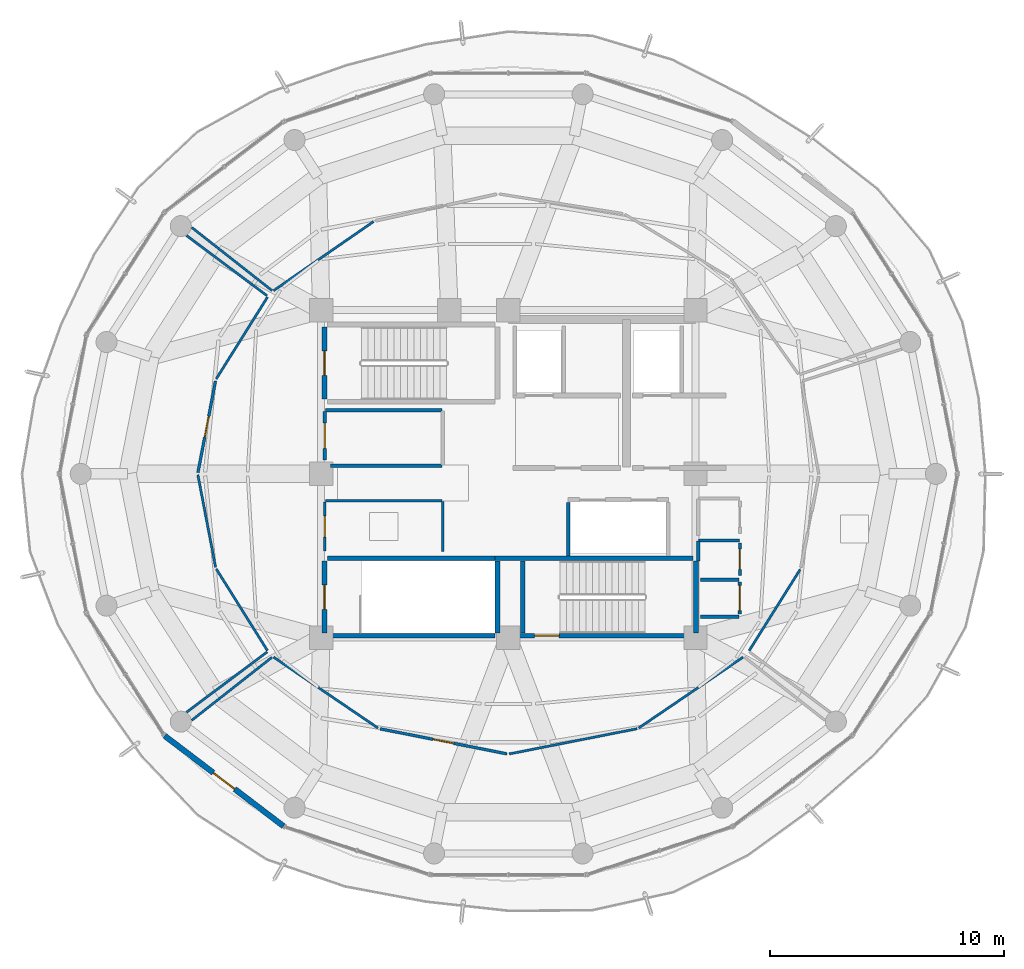
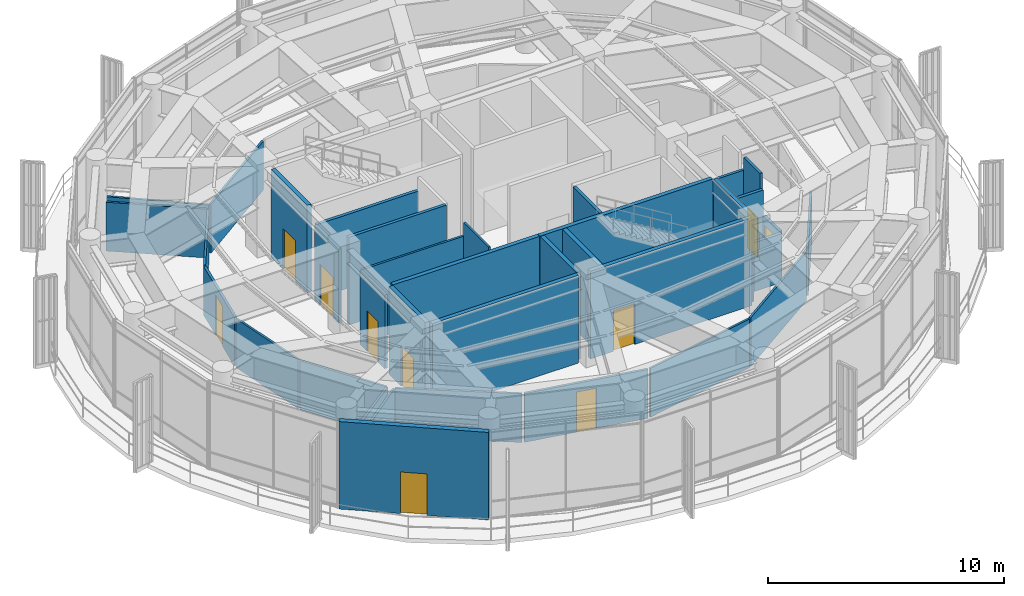
# One storey, part 18 of 23: 37 walls, 10 doors, 10 openings.
"""IFC4 building model written with IfcOpenShell, lengths in metres."""

from ifc_helpers import new_model, si_unit, direction, frame, frame_2d, origin, place, context, subcontext, project, spatial, rectangle, extrude, material, layer, layer_set, type_object, element, fill, save


model = new_model("IFC4")

# Units and contexts
model_context = context("Model", 3, precision=1e-05, world=origin(), true_north=direction((0.0, 1.0)))
body_context = subcontext(model_context, "Body", "Model", "MODEL_VIEW")
ifc_project = project(units=[si_unit("LENGTHUNIT", "METRE"), si_unit("AREAUNIT", "SQUARE_METRE"), si_unit("VOLUMEUNIT", "CUBIC_METRE"), si_unit("PLANEANGLEUNIT", "RADIAN"), si_unit("MASSUNIT", "GRAM", prefix="KILO")], contexts=[model_context])

# Site, building, storey
site_placement = place(None, origin())
site = spatial("IfcSite", under=ifc_project, at=site_placement, CompositionType="ELEMENT")
building_placement = place(site_placement, origin())
building = spatial("IfcBuilding", under=site, at=building_placement, Name="Kelanora Arch Commons", CompositionType="ELEMENT")
storey_placement = place(building_placement, frame((0.0, 0.0, 293.699951171875)))
storey = spatial("IfcBuildingStorey", under=building, at=storey_placement, Name="L75", CompositionType="ELEMENT", Elevation=293.699951171875)

# Wall
ifc_material_1 = material(Name="Autoclaved aerated concrete blockwork with fire plaster", Category="masonry")
ifc_layer_1 = layer(ifc_material_1, 0.14990234375)
ifc_layer_set_1 = layer_set([ifc_layer_1], Name="Autoclaved aerated concrete blockwork with fire plaster")
wall_type_1 = type_object("IfcWallType", Name="W-COMP-150", PredefinedType="PARTITIONING", material=ifc_layer_set_1)
wall_1_placement = place(storey_placement, frame((76.56005859375, 54.47998046875, 0.0), z_axis=(0.0, 0.0, 1.0), x_axis=(0.0, 1.0, 0.0)))
element("IfcWall", 1, at=wall_1_placement, inside=storey, type_object=wall_type_1, Name="South Lift Bank West Wall L75", PredefinedType="PARTITIONING", context=body_context, shape_type="SweptSolid", body=[
    extrude(rectangle(XDim=2.2900390625, YDim=0.14990234375, at=frame_2d((1.14501953125, 0.0))), origin(), (0.0, 0.0, 1.0), 4.530029296875),
])

# Wall, opening, door
wall_2_placement = place(storey_placement, frame((66.14990234375, 58.6015625, 0.0), z_axis=(0.0, 0.0, 1.0), x_axis=(0.0, 1.0, 0.0)))
wall_2 = element("IfcWall", 2, at=wall_2_placement, inside=storey, type_object=wall_type_1, Name="Reclaimed Core Observation Audio-Guide Counter L75 Entry Partition", PredefinedType="PARTITIONING", context=body_context, shape_type="SweptSolid", body=[
    extrude(rectangle(XDim=2.058349609375, YDim=0.14990234375, at=frame_2d((1.029296875, 0.0))), origin(), (0.0, 0.0, 1.0), 3.824951171875),
])
opening_1_placement = place(wall_2_placement, frame((0.489013671875, 0.0, 0.0)))
opening_1 = element("IfcOpeningElement", 3, at=opening_1_placement, cuts=wall_2, Name="Opening D-PLT1", PredefinedType="OPENING", context=body_context, shape_type="SweptSolid", body=[
    extrude(rectangle(XDim=1.080078125, YDim=2.10009765625, at=frame_2d((0.5400390625, 1.050048828125))), frame((0.0, 0.0849609375, 0.0), z_axis=(0.0, -1.0, 0.0), x_axis=(1.0, 0.0, 0.0)), (0.0, 0.0, 1.0), 0.169921875),
])
ifc_material_2 = material(Name="Galvanised steel plant and riser fire door", Category="steel")
door_type_1 = type_object("IfcDoorType", Name="D-PLT-110", OperationType="NOTDEFINED", PredefinedType="DOOR", material=ifc_material_2)
door_1_placement = place(opening_1_placement, origin())
door_1 = element("IfcDoor", 4, at=door_1_placement, inside=storey, type_object=door_type_1, Name="Reclaimed Core Observation Audio-Guide Counter L75 Door", OperationType="SINGLE_SWING_LEFT", OverallHeight=2.10009765625, OverallWidth=1.080078125, PredefinedType="DOOR", context=body_context, shape_type="SweptSolid", body=[
    extrude(rectangle(XDim=1.080078125, YDim=2.10009765625, at=frame_2d((0.5400390625, 1.050048828125))), frame((0.0, 0.02490234375, 0.0), z_axis=(0.0, -1.0, 0.0), x_axis=(1.0, 0.0, 0.0)), (0.0, 0.0, 1.0), 0.050048828125),
])
fill(opening_1, door_1)

wall_3_placement = place(storey_placement, frame((83.89990234375, 52.010009765625, 0.0), z_axis=(0.0, 0.0, 1.0), x_axis=(0.0, 1.0, 0.0)))
wall_3 = element("IfcWall", 5, at=wall_3_placement, inside=storey, type_object=wall_type_1, Name="Observation Coat Store L75 Entry Partition", PredefinedType="PARTITIONING", context=body_context, shape_type="SweptSolid", body=[
    extrude(rectangle(XDim=1.360107421875, YDim=0.14990234375, at=frame_2d((0.68017578125, 0.0))), origin(), (0.0, 0.0, 1.0), 2.525146484375),
])
opening_2_placement = place(wall_3_placement, frame((0.139892578125, 0.0, 0.0)))
opening_2 = element("IfcOpeningElement", 6, at=opening_2_placement, cuts=wall_3, Name="Opening D-PLT1", PredefinedType="OPENING", context=body_context, shape_type="SweptSolid", body=[
    extrude(rectangle(XDim=1.080078125, YDim=2.10009765625, at=frame_2d((0.5400390625, 1.050048828125))), frame((0.0, 0.0849609375, 0.0), z_axis=(0.0, -1.0, 0.0), x_axis=(1.0, 0.0, 0.0)), (0.0, 0.0, 1.0), 0.169921875),
])
door_2_placement = place(opening_2_placement, origin())
door_2 = element("IfcDoor", 7, at=door_2_placement, inside=storey, type_object=door_type_1, Name="Observation Coat Store L75 Door", OperationType="SINGLE_SWING_LEFT", OverallHeight=2.10009765625, OverallWidth=1.080078125, PredefinedType="DOOR", context=body_context, shape_type="SweptSolid", body=[
    extrude(rectangle(XDim=1.080078125, YDim=2.10009765625, at=frame_2d((0.5400390625, 1.050048828125))), frame((0.0, 0.02490234375, 0.0), z_axis=(0.0, -1.0, 0.0), x_axis=(1.0, 0.0, 0.0)), (0.0, 0.0, 1.0), 0.050048828125),
])
fill(opening_2, door_2)

# Walls
wall_4_placement = place(storey_placement, frame((66.391357421875, 58.35009765625, 0.0), z_axis=(0.0, 0.0, 1.0), x_axis=(1.0, 0.0, 0.0)))
element("IfcWall", 8, at=wall_4_placement, inside=storey, type_object=wall_type_1, Name="Reclaimed Core Observation Audio-Guide Counter L75 Enclosure Partition 1", PredefinedType="PARTITIONING", context=body_context, shape_type="SweptSolid", body=[
    extrude(rectangle(XDim=4.7685546875, YDim=0.14990234375, at=frame_2d((2.38427734375, 0.0))), origin(), (0.0, 0.0, 1.0), 4.530029296875),
])
wall_5_placement = place(storey_placement, frame((71.159912109375, 60.719970703125, 0.0), z_axis=(0.0, 0.0, 1.0), x_axis=(-1.0, 0.0, 0.0)))
element("IfcWall", 9, at=wall_5_placement, inside=storey, type_object=wall_type_1, Name="Reclaimed Core Observation Audio-Guide Counter L75 Enclosure Partition 3", PredefinedType="PARTITIONING", context=body_context, shape_type="SweptSolid", body=[
    extrude(rectangle(XDim=4.969970703125, YDim=0.14990234375, at=frame_2d((2.48486328125, 0.0))), origin(), (0.0, 0.0, 1.0), 3.824951171875),
])
wall_6_placement = place(storey_placement, frame((82.219970703125, 51.89990234375, 0.0), z_axis=(0.0, 0.0, 1.0), x_axis=(1.0, 0.0, 0.0)))
element("IfcWall", 10, at=wall_6_placement, inside=storey, type_object=wall_type_1, Name="Observation Coat Store L75 Enclosure Partition 1", PredefinedType="PARTITIONING", context=body_context, shape_type="SweptSolid", body=[
    extrude(rectangle(XDim=1.64013671875, YDim=0.14990234375, at=frame_2d((0.820068359375, 0.0))), origin(), (0.0, 0.0, 1.0), 2.525146484375),
])
wall_7_placement = place(storey_placement, frame((83.860107421875, 53.47998046875, 0.0), z_axis=(0.0, 0.0, 1.0), x_axis=(-1.0, 0.0, 0.0)))
element("IfcWall", 11, at=wall_7_placement, inside=storey, type_object=wall_type_1, Name="Observation Coat Store L75 Enclosure Partition 3", PredefinedType="PARTITIONING", context=body_context, shape_type="SweptSolid", body=[
    extrude(rectangle(XDim=1.64013671875, YDim=0.14990234375, at=frame_2d((0.820068359375, 0.0))), origin(), (0.0, 0.0, 1.0), 3.824951171875),
])

# Wall, opening, door
ifc_material_3 = material(Name="Precast concrete C40/50 upper-zone terracotta rainscreen", Category="masonry")
ifc_layer_2 = layer(ifc_material_3, 0.239990234375)
ifc_layer_set_2 = layer_set([ifc_layer_2], Name="Precast concrete C40/50 upper-zone terracotta rainscreen")
wall_type_2 = type_object("IfcWallType", Name="W-EXT-TC2", PredefinedType="SOLIDWALL", material=ifc_layer_set_2)
wall_8_placement = place(storey_placement, frame((59.3037109375, 46.806396484375, 0.0), z_axis=(0.0, 0.0, 1.0), x_axis=(0.796010444211, -0.605282886514, 0.0)))
wall_8 = element("IfcWall", 12, at=wall_8_placement, inside=storey, type_object=wall_type_2, Name="Terracotta Exterior Wall L75-B11", PredefinedType="SOLIDWALL", context=body_context, shape_type="SweptSolid", body=[
    extrude(rectangle(XDim=6.387451171875, YDim=0.239990234375, at=frame_2d((3.19384765625, 0.0))), origin(), (0.0, 0.0, 1.0), 4.525146484375),
])
opening_3_placement = place(wall_8_placement, frame((2.618896484375, 0.0, 0.0)))
opening_3 = element("IfcOpeningElement", 13, at=opening_3_placement, cuts=wall_8, Name="Opening DT-01", PredefinedType="OPENING", context=body_context, shape_type="SweptSolid", body=[
    extrude(rectangle(XDim=1.14990234375, YDim=2.14990234375, at=frame_2d((0.574951171875, 1.074951171875))), frame((0.0, 0.1298828125, 0.0), z_axis=(0.0, -1.0, 0.0), x_axis=(1.0, 0.0, 0.0)), (0.0, 0.0, 1.0), 0.260009765625),
])
ifc_material_4 = material(Name="Weather-sealed aluminium terrace door", Category="aluminium")
door_type_2 = type_object("IfcDoorType", Name="D-TERR-12", OperationType="NOTDEFINED", PredefinedType="DOOR", material=ifc_material_4)
door_3_placement = place(opening_3_placement, frame((1.14990234375, 0.0, 0.0), z_axis=(0.0, 0.0, 1.0), x_axis=(-1.0, 0.0, 0.0)))
door_3 = element("IfcDoor", 14, at=door_3_placement, inside=storey, type_object=door_type_2, Name="Sky-Terrace Access Door L75-B11", OperationType="SINGLE_SWING_RIGHT", OverallHeight=2.14990234375, OverallWidth=1.14990234375, PredefinedType="DOOR", context=body_context, shape_type="SweptSolid", body=[
    extrude(rectangle(XDim=1.14990234375, YDim=2.14990234375, at=frame_2d((0.574951171875, 1.074951171875))), frame((0.0, 0.02490234375, 0.0), z_axis=(0.0, -1.0, 0.0), x_axis=(1.0, 0.0, 0.0)), (0.0, 0.0, 1.0), 0.050048828125),
])
fill(opening_3, door_3)

# Walls
ifc_material_5 = material(Name="Lightweight fire-rated acoustic stud partition")
ifc_layer_3 = layer(ifc_material_5, 0.10009765625)
ifc_layer_set_3 = layer_set([ifc_layer_3], Name="Lightweight fire-rated acoustic stud partition")
wall_type_3 = type_object("IfcWallType", Name="W-PART-100", PredefinedType="PARTITIONING", material=ifc_layer_set_3)
wall_9_placement = place(storey_placement, frame((71.199951171875, 54.68994140625, 0.0), z_axis=(0.0, 0.0, 1.0), x_axis=(0.0, 1.0, 0.0)))
element("IfcWall", 15, at=wall_9_placement, inside=storey, type_object=wall_type_3, Name="Reclaimed Core Sky Bar Pantry L75 Enclosure Partition 2", PredefinedType="PARTITIONING", context=body_context, shape_type="SweptSolid", body=[
    extrude(rectangle(XDim=2.1201171875, YDim=0.10009765625, at=frame_2d((1.06005859375, 0.0))), origin(), (0.0, 0.0, 1.0), 4.530029296875),
])
wall_10_placement = place(storey_placement, frame((71.159912109375, 56.85009765625, 0.0), z_axis=(0.0, 0.0, 1.0), x_axis=(-1.0, 0.0, 0.0)))
element("IfcWall", 16, at=wall_10_placement, inside=storey, type_object=wall_type_3, Name="Reclaimed Core Sky Bar Pantry L75 Enclosure Partition 3", PredefinedType="PARTITIONING", context=body_context, shape_type="SweptSolid", body=[
    extrude(rectangle(XDim=4.969970703125, YDim=0.10009765625, at=frame_2d((2.48486328125, 0.0))), origin(), (0.0, 0.0, 1.0), 3.824951171875),
])
wall_11_placement = place(storey_placement, frame((68.233154296875, 68.783203125, 0.0), z_axis=(0.0, 0.0, 1.0), x_axis=(-0.822777954932, -0.568362944673, 0.0)))
element("IfcWall", 17, at=wall_11_placement, inside=storey, type_object=wall_type_3, Name="Colombo Harbour North Panorama Lounge Enclosure Partition 5", PredefinedType="PARTITIONING", context=body_context, shape_type="SweptSolid", body=[
    extrude(rectangle(XDim=5.187744140625, YDim=0.10009765625, at=frame_2d((2.59375, 0.0))), origin(), (0.0, 0.0, 1.0), 2.525146484375),
])
wall_12_placement = place(storey_placement, frame((63.900390625, 65.836669921875, 0.0), z_axis=(0.0, 0.0, 1.0), x_axis=(-0.786300871832, 0.617843782, 0.0)))
element("IfcWall", 18, at=wall_12_placement, inside=storey, type_object=wall_type_3, Name="Colombo Harbour North Panorama Lounge Enclosure Partition 6", PredefinedType="PARTITIONING", context=body_context, shape_type="SweptSolid", body=[
    extrude(rectangle(XDim=4.365234375, YDim=0.10009765625, at=frame_2d((2.1826171875, 0.0))), origin(), (0.0, 0.0, 1.0), 2.525146484375),
])
wall_13_placement = place(storey_placement, frame((63.701904296875, 65.55419921875, 0.0), z_axis=(0.0, 0.0, 1.0), x_axis=(-0.53099994336, -0.847371854708, 0.0)))
element("IfcWall", 19, at=wall_13_placement, inside=storey, type_object=wall_type_3, Name="Indian Ocean Sunset Viewing Gallery Enclosure Partition 1", PredefinedType="PARTITIONING", context=body_context, shape_type="SweptSolid", body=[
    extrude(rectangle(XDim=4.1201171875, YDim=0.10009765625, at=frame_2d((2.06005859375, 0.0))), origin(), (0.0, 0.0, 1.0), 2.525146484375),
])
wall_14_placement = place(storey_placement, frame((60.7275390625, 57.960693359375, 0.0), z_axis=(0.0, 0.0, 1.0), x_axis=(0.188453433241, -0.982082126657, 0.0)))
element("IfcWall", 20, at=wall_14_placement, inside=storey, type_object=wall_type_3, Name="Indian Ocean Sunset Viewing Gallery Enclosure Partition 3", PredefinedType="PARTITIONING", context=body_context, shape_type="SweptSolid", body=[
    extrude(rectangle(XDim=4.0224609375, YDim=0.10009765625, at=frame_2d((2.01123046875, 0.0))), origin(), (0.0, 0.0, 1.0), 2.525146484375),
])
wall_15_placement = place(storey_placement, frame((61.51416015625, 53.93701171875, 0.0), z_axis=(0.0, 0.0, 1.0), x_axis=(0.53099994336, -0.847371854708, 0.0)))
element("IfcWall", 21, at=wall_15_placement, inside=storey, type_object=wall_type_3, Name="Indian Ocean Sunset Viewing Gallery Enclosure Partition 4", PredefinedType="PARTITIONING", context=body_context, shape_type="SweptSolid", body=[
    extrude(rectangle(XDim=4.1201171875, YDim=0.10009765625, at=frame_2d((2.06005859375, 0.0))), origin(), (0.0, 0.0, 1.0), 2.525146484375),
])
for number, where, z_axis, x_axis, name in (
    (22, (63.69091796875, 50.387939453125, 0.0), (0.0, 0.0, 1.0), (-0.800863986332, -0.598846286952, 0.0), "Indian Ocean Sunset Viewing Gallery Enclosure Partition 5"),
    (23, (60.245361328125, 68.1884765625, 0.0), (0.0, 0.0, 1.0), (0.800863986332, -0.598846286952, 0.0), "Indian Ocean Sunset Viewing Gallery Enclosure Partition 10"),
):
    element("IfcWall", number, at=place(storey_placement, frame(where, z_axis=z_axis, x_axis=x_axis)), inside=storey, type_object=wall_type_3, Name=name, PredefinedType="PARTITIONING", context=body_context, shape_type="SweptSolid", body=[
        extrude(rectangle(XDim=4.30224609375, YDim=0.10009765625, at=frame_2d((2.151123046875, 0.0))), origin(), (0.0, 0.0, 1.0), 2.525146484375),
    ])
wall_16_placement = place(storey_placement, frame((63.965087890625, 50.16552734375, 0.0), z_axis=(0.0, 0.0, 1.0), x_axis=(0.82725042388, -0.561833370485, 0.0)))
element("IfcWall", 24, at=wall_16_placement, inside=storey, type_object=wall_type_3, Name="Southern Coast Seminar and Exhibition Room Enclosure Partition 1", PredefinedType="PARTITIONING", context=body_context, shape_type="SweptSolid", body=[
    extrude(rectangle(XDim=5.394775390625, YDim=0.10009765625, at=frame_2d((2.697265625, 0.0))), origin(), (0.0, 0.0, 1.0), 2.525146484375),
])
wall_17_placement = place(storey_placement, frame((74.039306640625, 46.027587890625, 0.0), z_axis=(0.0, 0.0, 1.0), x_axis=(0.981110194686, 0.193449698586, 0.0)))
element("IfcWall", 25, at=wall_17_placement, inside=storey, type_object=wall_type_3, Name="Southern Coast Seminar and Exhibition Room Enclosure Partition 3", PredefinedType="PARTITIONING", context=body_context, shape_type="SweptSolid", body=[
    extrude(rectangle(XDim=5.565673828125, YDim=0.10009765625, at=frame_2d((2.78271484375, 0.0))), origin(), (0.0, 0.0, 1.0), 2.525146484375),
])
wall_18_placement = place(storey_placement, frame((79.572021484375, 47.134521484375, 0.0), z_axis=(0.0, 0.0, 1.0), x_axis=(0.82725042388, 0.561833370485, 0.0)))
element("IfcWall", 26, at=wall_18_placement, inside=storey, type_object=wall_type_3, Name="Southern Coast Seminar and Exhibition Room Enclosure Partition 4", PredefinedType="PARTITIONING", context=body_context, shape_type="SweptSolid", body=[
    extrude(rectangle(XDim=5.394775390625, YDim=0.10009765625, at=frame_2d((2.697265625, 0.0))), origin(), (0.0, 0.0, 1.0), 2.525146484375),
])
wall_19_placement = place(storey_placement, frame((60.468017578125, 47.46630859375, 0.0), z_axis=(0.0, 0.0, 1.0), x_axis=(0.786300871832, 0.617843782, 0.0)))
element("IfcWall", 27, at=wall_19_placement, inside=storey, type_object=wall_type_3, Name="Southern Coast Seminar and Exhibition Room Enclosure Partition 10", PredefinedType="PARTITIONING", context=body_context, shape_type="SweptSolid", body=[
    extrude(rectangle(XDim=4.365234375, YDim=0.10009765625, at=frame_2d((2.1826171875, 0.0))), origin(), (0.0, 0.0, 1.0), 2.525146484375),
])
wall_20_placement = place(storey_placement, frame((84.29833984375, 50.44580078125, 0.0), z_axis=(0.0, 0.0, 1.0), x_axis=(0.531894397673, 0.846810692967, 0.0)))
element("IfcWall", 28, at=wall_20_placement, inside=storey, type_object=wall_type_3, Name="Sky Tea Lounge and Tasting Bar Enclosure Partition 1", PredefinedType="PARTITIONING", context=body_context, shape_type="SweptSolid", body=[
    extrude(rectangle(XDim=4.095703125, YDim=0.10009765625, at=frame_2d((2.0478515625, 0.0))), origin(), (0.0, 0.0, 1.0), 2.525146484375),
])

# Wall, opening, door
ifc_material_6 = material(Name="Acoustic twin-stud fire-rated gypsum partition")
ifc_layer_4 = layer(ifc_material_6, 0.1201171875)
ifc_layer_set_4 = layer_set([ifc_layer_4], Name="Acoustic twin-stud fire-rated gypsum partition")
wall_type_4 = type_object("IfcWallType", Name="W-PART-120", PredefinedType="PARTITIONING", material=ifc_layer_set_4)
wall_21_placement = place(storey_placement, frame((66.14990234375, 54.7099609375, 0.0), z_axis=(0.0, 0.0, 1.0), x_axis=(0.0, 1.0, 0.0)))
wall_21 = element("IfcWall", 29, at=wall_21_placement, inside=storey, type_object=wall_type_4, Name="Reclaimed Core Sky Bar Pantry L75 Entry Partition", PredefinedType="PARTITIONING", context=body_context, shape_type="SweptSolid", body=[
    extrude(rectangle(XDim=2.080078125, YDim=0.1201171875, at=frame_2d((1.0400390625, 0.0))), origin(), (0.0, 0.0, 1.0), 3.824951171875),
])
opening_4_placement = place(wall_21_placement, frame((0.590087890625, 0.0, 0.0)))
opening_4 = element("IfcOpeningElement", 30, at=opening_4_placement, cuts=wall_21, Name="Opening D-RM1", PredefinedType="OPENING", context=body_context, shape_type="SweptSolid", body=[
    extrude(rectangle(XDim=0.89990234375, YDim=2.080078125, at=frame_2d((0.449951171875, 1.0400390625))), frame((0.0, 0.070068359375, 0.0), z_axis=(0.0, -1.0, 0.0), x_axis=(1.0, 0.0, 0.0)), (0.0, 0.0, 1.0), 0.14013671875),
])
ifc_material_7 = material(Name="Acoustic fire-rated timber study and lounge door", Category="wood")
door_type_3 = type_object("IfcDoorType", Name="D-ROOM-90", OperationType="NOTDEFINED", PredefinedType="DOOR", material=ifc_material_7)
door_4_placement = place(opening_4_placement, origin())
door_4 = element("IfcDoor", 31, at=door_4_placement, inside=storey, type_object=door_type_3, Name="Reclaimed Core Sky Bar Pantry L75 Door", OperationType="SINGLE_SWING_RIGHT", OverallHeight=2.080078125, OverallWidth=0.89990234375, PredefinedType="DOOR", context=body_context, shape_type="SweptSolid", body=[
    extrude(rectangle(XDim=0.89990234375, YDim=2.080078125, at=frame_2d((0.449951171875, 1.0400390625))), frame((0.0, 0.02490234375, 0.0), z_axis=(0.0, -1.0, 0.0), x_axis=(1.0, 0.0, 0.0)), (0.0, 0.0, 1.0), 0.050048828125),
])
fill(opening_4, door_4)

wall_22_placement = place(storey_placement, frame((61.481689453125, 61.97021484375, 0.0), z_axis=(0.0, 0.0, 1.0), x_axis=(-0.18843585457, -0.982085499696, 0.0)))
wall_22 = element("IfcWall", 32, at=wall_22_placement, inside=storey, type_object=wall_type_4, Name="Indian Ocean Sunset Viewing Gallery Entry Partition", PredefinedType="PARTITIONING", context=body_context, shape_type="SweptSolid", body=[
    extrude(rectangle(XDim=3.982666015625, YDim=0.1201171875, at=frame_2d((1.9912109375, 0.0))), origin(), (0.0, 0.0, 1.0), 2.525146484375),
])
opening_5_placement = place(wall_22_placement, frame((1.541015625, 0.0, 0.0)))
opening_5 = element("IfcOpeningElement", 33, at=opening_5_placement, cuts=wall_22, Name="Opening D-RM1", PredefinedType="OPENING", context=body_context, shape_type="SweptSolid", body=[
    extrude(rectangle(XDim=0.89990234375, YDim=2.080078125, at=frame_2d((0.449951171875, 1.0400390625))), frame((0.0, 0.070068359375, 0.0), z_axis=(0.0, -1.0, 0.0), x_axis=(1.0, 0.0, 0.0)), (0.0, 0.0, 1.0), 0.14013671875),
])
door_5_placement = place(opening_5_placement, origin())
door_5 = element("IfcDoor", 34, at=door_5_placement, inside=storey, type_object=door_type_3, Name="Indian Ocean Sunset Viewing Gallery Door", OperationType="SINGLE_SWING_RIGHT", OverallHeight=2.080078125, OverallWidth=0.89990234375, PredefinedType="DOOR", context=body_context, shape_type="SweptSolid", body=[
    extrude(rectangle(XDim=0.89990234375, YDim=2.080078125, at=frame_2d((0.449951171875, 1.0400390625))), frame((0.0, 0.02490234375, 0.0), z_axis=(0.0, -1.0, 0.0), x_axis=(1.0, 0.0, 0.0)), (0.0, 0.0, 1.0), 0.050048828125),
])
fill(opening_5, door_5)

wall_23_placement = place(storey_placement, frame((68.52001953125, 47.100341796875, 0.0), z_axis=(0.0, 0.0, 1.0), x_axis=(0.981112332552, -0.193438855749, 0.0)))
wall_23 = element("IfcWall", 35, at=wall_23_placement, inside=storey, type_object=wall_type_4, Name="Southern Coast Seminar and Exhibition Room Entry Partition", PredefinedType="PARTITIONING", context=body_context, shape_type="SweptSolid", body=[
    extrude(rectangle(XDim=5.525390625, YDim=0.1201171875, at=frame_2d((2.7626953125, 0.0))), origin(), (0.0, 0.0, 1.0), 2.525146484375),
])
opening_6_placement = place(wall_23_placement, frame((2.31298828125, 0.0, 0.0)))
opening_6 = element("IfcOpeningElement", 36, at=opening_6_placement, cuts=wall_23, Name="Opening D-RM1", PredefinedType="OPENING", context=body_context, shape_type="SweptSolid", body=[
    extrude(rectangle(XDim=0.89990234375, YDim=2.080078125, at=frame_2d((0.449951171875, 1.0400390625))), frame((0.0, 0.070068359375, 0.0), z_axis=(0.0, -1.0, 0.0), x_axis=(1.0, 0.0, 0.0)), (0.0, 0.0, 1.0), 0.14013671875),
])
door_6_placement = place(opening_6_placement, origin())
door_6 = element("IfcDoor", 37, at=door_6_placement, inside=storey, type_object=door_type_3, Name="Southern Coast Seminar and Exhibition Room Door", OperationType="SINGLE_SWING_LEFT", OverallHeight=2.080078125, OverallWidth=0.89990234375, PredefinedType="DOOR", context=body_context, shape_type="SweptSolid", body=[
    extrude(rectangle(XDim=0.89990234375, YDim=2.080078125, at=frame_2d((0.449951171875, 1.0400390625))), frame((0.0, 0.02490234375, 0.0), z_axis=(0.0, -1.0, 0.0), x_axis=(1.0, 0.0, 0.0)), (0.0, 0.0, 1.0), 0.050048828125),
])
fill(opening_6, door_6)

ifc_material_8 = material(Name="Concrete C40/50", Category="concrete")
ifc_layer_5 = layer(ifc_material_8, 0.199951171875)
ifc_layer_set_5 = layer_set([ifc_layer_5], Name="Concrete C40/50")
wall_type_5 = type_object("IfcWallType", Name="W-STAIR-200", PredefinedType="SHEAR", material=ifc_layer_set_5)
wall_24_placement = place(storey_placement, frame((66.139892578125, 64.27001953125, 0.0), z_axis=(0.0, 0.0, 1.0), x_axis=(0.0, -1.0, 0.0)))
wall_24 = element("IfcWall", 38, at=wall_24_placement, inside=storey, type_object=wall_type_5, Name="Stair ST-T1 Shaft Wall W L75", PredefinedType="SHEAR", context=body_context, shape_type="SweptSolid", body=[
    extrude(rectangle(XDim=3.070068359375, YDim=0.199951171875, at=frame_2d((1.53515625, 0.0))), origin(), (0.0, 0.0, 1.0), 4.5400390625),
])
opening_7_placement = place(wall_24_placement, frame((1.010009765625, 0.0, 0.0)))
opening_7 = element("IfcOpeningElement", 39, at=opening_7_placement, cuts=wall_24, Name="Opening D-ST1", PredefinedType="OPENING", context=body_context, shape_type="SweptSolid", body=[
    extrude(rectangle(XDim=1.050048828125, YDim=2.10009765625, at=frame_2d((0.52490234375, 1.050048828125))), frame((0.0, 0.10986328125, 0.0), z_axis=(0.0, -1.0, 0.0), x_axis=(1.0, 0.0, 0.0)), (0.0, 0.0, 1.0), 0.219970703125),
])
ifc_material_9 = material(Name="Steel fire-rated stairwell escape door", Category="steel")
door_type_4 = type_object("IfcDoorType", Name="D-STAIR-110", OperationType="NOTDEFINED", PredefinedType="DOOR", material=ifc_material_9)
door_7_placement = place(opening_7_placement, origin())
door_7 = element("IfcDoor", 40, at=door_7_placement, inside=storey, type_object=door_type_4, Name="Stair ST-T1 Escape Door L75", OperationType="SINGLE_SWING_LEFT", OverallHeight=2.10009765625, OverallWidth=1.050048828125, PredefinedType="DOOR", context=body_context, shape_type="SweptSolid", body=[
    extrude(rectangle(XDim=1.050048828125, YDim=2.10009765625, at=frame_2d((0.52490234375, 1.050048828125))), frame((0.0, 0.02490234375, 0.0), z_axis=(0.0, -1.0, 0.0), x_axis=(1.0, 0.0, 0.0)), (0.0, 0.0, 1.0), 0.050048828125),
])
fill(opening_7, door_7)

wall_25_placement = place(storey_placement, frame((74.0, 51.080078125, 0.0), z_axis=(0.0, 0.0, 1.0), x_axis=(1.0, 0.0, 0.0)))
wall_25 = element("IfcWall", 41, at=wall_25_placement, inside=storey, type_object=wall_type_5, Name="Stair ST-T2 Shaft Wall S L75", PredefinedType="SHEAR", context=body_context, shape_type="SweptSolid", body=[
    extrude(rectangle(XDim=7.89990234375, YDim=0.199951171875, at=frame_2d((3.949951171875, 0.0))), origin(), (0.0, 0.0, 1.0), 4.5400390625),
])
opening_8_placement = place(wall_25_placement, frame((1.1201171875, 0.0, 0.0)))
opening_8 = element("IfcOpeningElement", 42, at=opening_8_placement, cuts=wall_25, Name="Opening D-ST1", PredefinedType="OPENING", context=body_context, shape_type="SweptSolid", body=[
    extrude(rectangle(XDim=1.050048828125, YDim=2.10009765625, at=frame_2d((0.52490234375, 1.050048828125))), frame((0.0, 0.10986328125, 0.0), z_axis=(0.0, -1.0, 0.0), x_axis=(1.0, 0.0, 0.0)), (0.0, 0.0, 1.0), 0.219970703125),
])
door_8_placement = place(opening_8_placement, origin())
door_8 = element("IfcDoor", 43, at=door_8_placement, inside=storey, type_object=door_type_4, Name="Stair ST-T2 Escape Door L75", OperationType="SINGLE_SWING_LEFT", OverallHeight=2.10009765625, OverallWidth=1.050048828125, PredefinedType="DOOR", context=body_context, shape_type="SweptSolid", body=[
    extrude(rectangle(XDim=1.050048828125, YDim=2.10009765625, at=frame_2d((0.52490234375, 1.050048828125))), frame((0.0, 0.02490234375, 0.0), z_axis=(0.0, -1.0, 0.0), x_axis=(1.0, 0.0, 0.0)), (0.0, 0.0, 1.0), 0.050048828125),
])
fill(opening_8, door_8)

# Walls
wall_26_placement = place(storey_placement, frame((82.02001953125, 51.199951171875, 0.0), z_axis=(0.0, 0.0, 1.0), x_axis=(0.0, 1.0, 0.0)))
element("IfcWall", 44, at=wall_26_placement, inside=storey, type_object=wall_type_5, Name="Stair ST-T2 Shaft Wall E L75", PredefinedType="SHEAR", context=body_context, shape_type="SweptSolid", body=[
    extrude(rectangle(XDim=3.070068359375, YDim=0.199951171875, at=frame_2d((1.53515625, 0.0))), origin(), (0.0, 0.0, 1.0), 4.5400390625),
])
wall_27_placement = place(storey_placement, frame((81.89990234375, 54.389892578125, 0.0), z_axis=(0.0, 0.0, 1.0), x_axis=(-1.0, 0.0, 0.0)))
element("IfcWall", 45, at=wall_27_placement, inside=storey, type_object=wall_type_5, Name="Stair ST-T2 Shaft Wall N L75", PredefinedType="SHEAR", context=body_context, shape_type="SweptSolid", body=[
    extrude(rectangle(XDim=8.4599609375, YDim=0.199951171875, at=frame_2d((4.22998046875, 0.0))), origin(), (0.0, 0.0, 1.0), 4.5400390625),
])
wall_28_placement = place(storey_placement, frame((74.6201171875, 54.27001953125, 0.0), z_axis=(0.0, 0.0, 1.0), x_axis=(0.0, -1.0, 0.0)))
element("IfcWall", 46, at=wall_28_placement, inside=storey, type_object=wall_type_5, Name="Stair ST-T2 Shaft Wall W L75", PredefinedType="SHEAR", context=body_context, shape_type="SweptSolid", body=[
    extrude(rectangle(XDim=3.070068359375, YDim=0.199951171875, at=frame_2d((1.53515625, 0.0))), origin(), (0.0, 0.0, 1.0), 4.5400390625),
])
wall_29_placement = place(storey_placement, frame((66.260009765625, 51.080078125, 0.0), z_axis=(0.0, 0.0, 1.0), x_axis=(1.0, 0.0, 0.0)))
element("IfcWall", 47, at=wall_29_placement, inside=storey, type_object=wall_type_5, Name="Stair ST-T3 Shaft Wall S L75", PredefinedType="SHEAR", context=body_context, shape_type="SweptSolid", body=[
    extrude(rectangle(XDim=7.159912109375, YDim=0.199951171875, at=frame_2d((3.580078125, 0.0))), origin(), (0.0, 0.0, 1.0), 4.5400390625),
])
wall_30_placement = place(storey_placement, frame((73.5400390625, 51.199951171875, 0.0), z_axis=(0.0, 0.0, 1.0), x_axis=(0.0, 1.0, 0.0)))
element("IfcWall", 48, at=wall_30_placement, inside=storey, type_object=wall_type_5, Name="Stair ST-T3 Shaft Wall E L75", PredefinedType="SHEAR", context=body_context, shape_type="SweptSolid", body=[
    extrude(rectangle(XDim=3.070068359375, YDim=0.199951171875, at=frame_2d((1.53515625, 0.0))), origin(), (0.0, 0.0, 1.0), 4.5400390625),
])
wall_31_placement = place(storey_placement, frame((73.419921875, 54.389892578125, 0.0), z_axis=(0.0, 0.0, 1.0), x_axis=(-1.0, 0.0, 0.0)))
element("IfcWall", 49, at=wall_31_placement, inside=storey, type_object=wall_type_5, Name="Stair ST-T3 Shaft Wall N L75", PredefinedType="SHEAR", context=body_context, shape_type="SweptSolid", body=[
    extrude(rectangle(XDim=7.159912109375, YDim=0.199951171875, at=frame_2d((3.580078125, 0.0))), origin(), (0.0, 0.0, 1.0), 4.5400390625),
])

# Wall, opening, door
wall_32_placement = place(storey_placement, frame((66.139892578125, 54.27001953125, 0.0), z_axis=(0.0, 0.0, 1.0), x_axis=(0.0, -1.0, 0.0)))
wall_32 = element("IfcWall", 50, at=wall_32_placement, inside=storey, type_object=wall_type_5, Name="Stair ST-T3 Shaft Wall W L75", PredefinedType="SHEAR", context=body_context, shape_type="SweptSolid", body=[
    extrude(rectangle(XDim=3.070068359375, YDim=0.199951171875, at=frame_2d((1.53515625, 0.0))), origin(), (0.0, 0.0, 1.0), 4.5400390625),
])
opening_9_placement = place(wall_32_placement, frame((1.010009765625, 0.0, 0.0)))
opening_9 = element("IfcOpeningElement", 51, at=opening_9_placement, cuts=wall_32, Name="Opening D-ST1", PredefinedType="OPENING", context=body_context, shape_type="SweptSolid", body=[
    extrude(rectangle(XDim=1.050048828125, YDim=2.10009765625, at=frame_2d((0.52490234375, 1.050048828125))), frame((0.0, 0.10986328125, 0.0), z_axis=(0.0, -1.0, 0.0), x_axis=(1.0, 0.0, 0.0)), (0.0, 0.0, 1.0), 0.219970703125),
])
door_9_placement = place(opening_9_placement, origin())
door_9 = element("IfcDoor", 52, at=door_9_placement, inside=storey, type_object=door_type_4, Name="Stair ST-T3 Escape Door L75", OperationType="SINGLE_SWING_LEFT", OverallHeight=2.10009765625, OverallWidth=1.050048828125, PredefinedType="DOOR", context=body_context, shape_type="SweptSolid", body=[
    extrude(rectangle(XDim=1.050048828125, YDim=2.10009765625, at=frame_2d((0.52490234375, 1.050048828125))), frame((0.0, 0.02490234375, 0.0), z_axis=(0.0, -1.0, 0.0), x_axis=(1.0, 0.0, 0.0)), (0.0, 0.0, 1.0), 0.050048828125),
])
fill(opening_9, door_9)

ifc_material_10 = material(Name="Moisture-resistant fire-rated cement-board plumbing wall")
ifc_layer_6 = layer(ifc_material_10, 0.1298828125)
ifc_layer_set_6 = layer_set([ifc_layer_6], Name="Moisture-resistant fire-rated cement-board plumbing wall")
wall_type_6 = type_object("IfcWallType", Name="W-WET-120", PredefinedType="PLUMBINGWALL", material=ifc_layer_set_6)
wall_33_placement = place(storey_placement, frame((83.89990234375, 53.659912109375, 0.0), z_axis=(0.0, 0.0, 1.0), x_axis=(0.0, 1.0, 0.0)))
wall_33 = element("IfcWall", 53, at=wall_33_placement, inside=storey, type_object=wall_type_6, Name="Observation Public Toilets L75 Entry Partition", PredefinedType="PLUMBINGWALL", context=body_context, shape_type="SweptSolid", body=[
    extrude(rectangle(XDim=1.380126953125, YDim=0.1298828125, at=frame_2d((0.68994140625, 0.0))), origin(), (0.0, 0.0, 1.0), 4.530029296875),
])
opening_10_placement = place(wall_33_placement, frame((0.260009765625, 0.0, 0.0)))
opening_10 = element("IfcOpeningElement", 54, at=opening_10_placement, cuts=wall_33, Name="Opening D-BT1", PredefinedType="OPENING", context=body_context, shape_type="SweptSolid", body=[
    extrude(rectangle(XDim=0.860107421875, YDim=2.050048828125, at=frame_2d((0.43017578125, 1.02490234375))), frame((0.0, 0.074951171875, 0.0), z_axis=(0.0, -1.0, 0.0), x_axis=(1.0, 0.0, 0.0)), (0.0, 0.0, 1.0), 0.14990234375),
])
ifc_material_11 = material(Name="Moisture-sealed fire-rated accessible bathroom door")
door_type_5 = type_object("IfcDoorType", Name="D-BATH-85", OperationType="NOTDEFINED", PredefinedType="DOOR", material=ifc_material_11)
door_10_placement = place(opening_10_placement, origin())
door_10 = element("IfcDoor", 55, at=door_10_placement, inside=storey, type_object=door_type_5, Name="Observation Public Toilets L75 Door", OperationType="SINGLE_SWING_RIGHT", OverallHeight=2.050048828125, OverallWidth=0.860107421875, PredefinedType="DOOR", context=body_context, shape_type="SweptSolid", body=[
    extrude(rectangle(XDim=0.860107421875, YDim=2.050048828125, at=frame_2d((0.43017578125, 1.02490234375))), frame((0.0, 0.02490234375, 0.0), z_axis=(0.0, -1.0, 0.0), x_axis=(1.0, 0.0, 0.0)), (0.0, 0.0, 1.0), 0.050048828125),
])
fill(opening_10, door_10)

# Walls
wall_34_placement = place(storey_placement, frame((83.8798828125, 55.14990234375, 0.0), z_axis=(0.0, 0.0, 1.0), x_axis=(-1.0, 0.0, 0.0)))
element("IfcWall", 56, at=wall_34_placement, inside=storey, type_object=wall_type_6, Name="Observation Public Toilets L75 Enclosure Partition 3", PredefinedType="PLUMBINGWALL", context=body_context, shape_type="SweptSolid", body=[
    extrude(rectangle(XDim=1.739990234375, YDim=0.1298828125, at=frame_2d((0.8701171875, 0.0))), origin(), (0.0, 0.0, 1.0), 3.824951171875),
])
wall_35_placement = place(storey_placement, frame((82.1201171875, 55.1298828125, 0.0), z_axis=(0.0, 0.0, 1.0), x_axis=(0.0, -1.0, 0.0)))
element("IfcWall", 57, at=wall_35_placement, inside=storey, type_object=wall_type_6, Name="Observation Public Toilets L75 Enclosure Partition 4", PredefinedType="PLUMBINGWALL", context=body_context, shape_type="SweptSolid", body=[
    extrude(rectangle(XDim=0.85986328125, YDim=0.1298828125, at=frame_2d((0.429931640625, 0.0))), origin(), (0.0, 0.0, 1.0), 3.824951171875),
])

save(model, "model.ifc")
